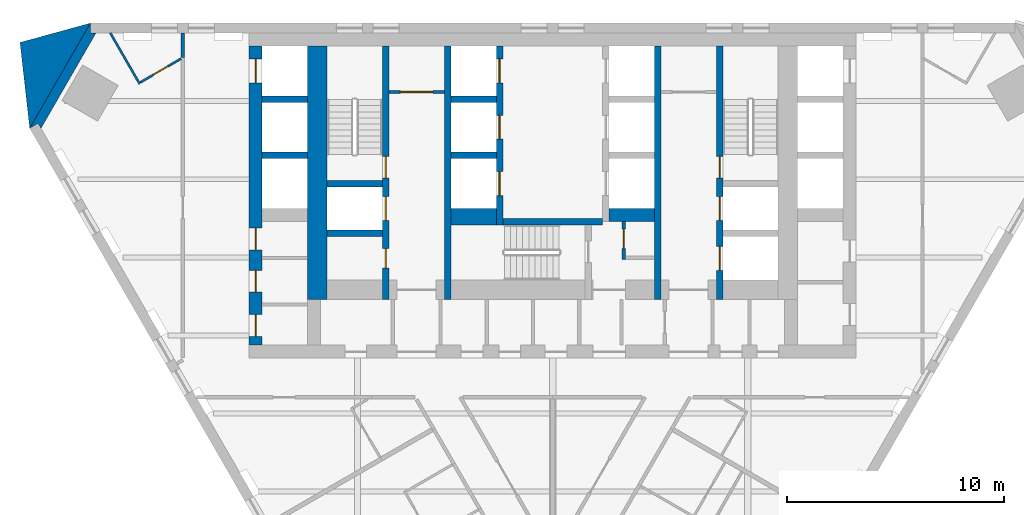
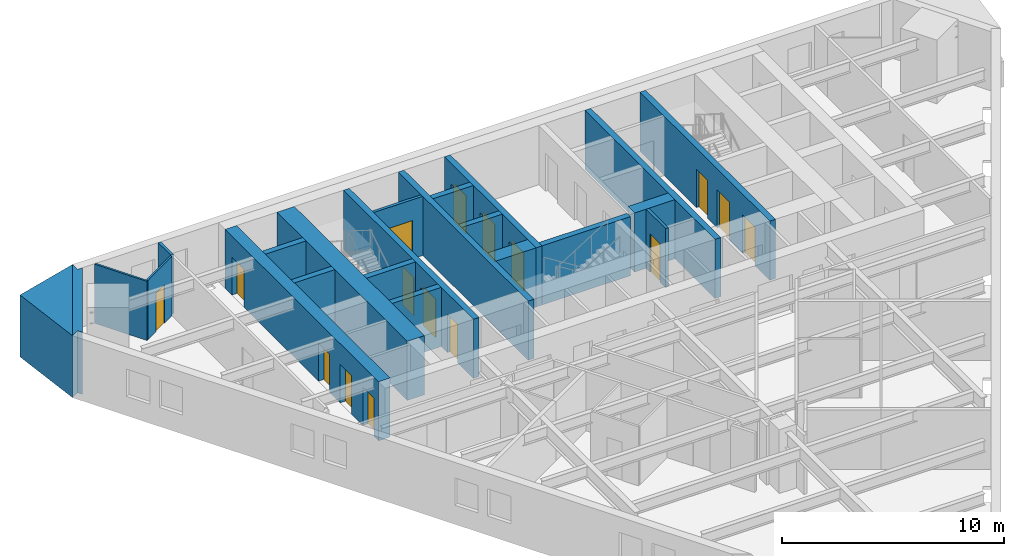
# One storey, part 5 of 9: 23 walls, 16 doors, 16 openings.
"""IFC4 building model written with IfcOpenShell, lengths in metres."""

from ifc_helpers import new_model, si_unit, direction, frame, frame_2d, origin, place, context, subcontext, project, spatial, polyline, rectangle, outline, extrude, material, layer, layer_set, type_object, element, fill, save


model = new_model("IFC4")

# Units and contexts
model_context = context("Model", 3, precision=1e-05, world=origin(), true_north=direction((0.0, 1.0)))
body_context = subcontext(model_context, "Body", "Model", "MODEL_VIEW")
ifc_project = project(units=[si_unit("LENGTHUNIT", "METRE"), si_unit("AREAUNIT", "SQUARE_METRE"), si_unit("VOLUMEUNIT", "CUBIC_METRE"), si_unit("PLANEANGLEUNIT", "RADIAN"), si_unit("MASSUNIT", "GRAM", prefix="KILO")], contexts=[model_context])

# Site, building, storey
site_placement = place(None, origin())
site = spatial("IfcSite", under=ifc_project, at=site_placement, CompositionType="ELEMENT")
building_placement = place(site_placement, origin())
building = spatial("IfcBuilding", under=site, at=building_placement, Name="Aloe Facet Convention Tower", CompositionType="ELEMENT")
storey_placement = place(building_placement, frame((0.0, 0.0, 120.300048828125)))
storey = spatial("IfcBuildingStorey", under=building, at=storey_placement, Name="L30", CompositionType="ELEMENT", Elevation=120.300048828125)

# Wall, opening, door
ifc_material_1 = material(Name="Concrete blockwork partition", Category="masonry")
ifc_layer_1 = layer(ifc_material_1, 0.14990234375)
ifc_layer_set_1 = layer_set([ifc_layer_1], Name="CR-W-PART150")
wall_type_1 = type_object("IfcWallType", Name="CR-W-PART150", PredefinedType="PARTITIONING", material=ifc_layer_set_1)
wall_1_placement = place(storey_placement, frame((72.449951171875, 131.824951171875, 0.0), z_axis=(0.0, 0.0, 1.0), x_axis=(1.0, 0.0, 0.0)))
wall_1 = element("IfcWall", 1, at=wall_1_placement, inside=storey, type_object=wall_type_1, Name="Core partition L30-015", PredefinedType="PARTITIONING", context=body_context, shape_type="SweptSolid", body=[
    extrude(rectangle(XDim=2.550048828125, YDim=0.14990234375, at=frame_2d((1.27490234375, 0.0))), origin(), (0.0, 0.0, 1.0), 3.25),
])
opening_1_placement = place(wall_1_placement, frame((0.52490234375, 0.0, 0.0)))
opening_1 = element("IfcOpeningElement", 2, at=opening_1_placement, cuts=wall_1, Name="Opening L30-CD21", PredefinedType="OPENING", context=body_context, shape_type="SweptSolid", body=[
    extrude(rectangle(XDim=1.5, YDim=2.10009765625, at=frame_2d((0.75, 1.050048828125))), frame((0.0, 0.0849609375, 0.0), z_axis=(0.0, -1.0, 0.0), x_axis=(1.0, 0.0, 0.0)), (0.0, 0.0, 1.0), 0.169921875),
])
ifc_material_2 = material(Name="Steel fire-resisting door set FD60", Category="steel")
door_type_1 = type_object("IfcDoorType", Name="CR-D-REFUGE-1500-FD60-DD", OperationType="DOUBLE_DOOR_DOUBLE_SWING", PredefinedType="DOOR", material=ifc_material_2)
door_1_placement = place(opening_1_placement, origin())
door_1 = element("IfcDoor", 3, at=door_1_placement, inside=storey, type_object=door_type_1, Name="Core door L30-CD21", OperationType="DOUBLE_DOOR_DOUBLE_SWING", OverallHeight=2.10009765625, OverallWidth=1.5, PredefinedType="DOOR", context=body_context, shape_type="SweptSolid", body=[
    extrude(rectangle(XDim=1.5, YDim=2.10009765625, at=frame_2d((0.75, 1.050048828125))), frame((0.0, 0.02490234375, 0.0), z_axis=(0.0, -1.0, 0.0), x_axis=(1.0, 0.0, 0.0)), (0.0, 0.0, 1.0), 0.050048828125),
])
fill(opening_1, door_1)

wall_2_placement = place(storey_placement, frame((83.27490234375, 125.85009765625, 0.0), z_axis=(0.0, 0.0, 1.0), x_axis=(0.0, -1.0, 0.0)))
wall_2 = element("IfcWall", 4, at=wall_2_placement, inside=storey, type_object=wall_type_1, Name="Core partition L30-036", PredefinedType="PARTITIONING", context=body_context, shape_type="SweptSolid", body=[
    extrude(rectangle(XDim=1.75, YDim=0.14990234375, at=frame_2d((0.875, 0.0))), origin(), (0.0, 0.0, 1.0), 3.25),
])
opening_2_placement = place(wall_2_placement, frame((0.35009765625, 0.0, 0.0)))
opening_2 = element("IfcOpeningElement", 5, at=opening_2_placement, cuts=wall_2, Name="Opening L30-CD19", PredefinedType="OPENING", context=body_context, shape_type="SweptSolid", body=[
    extrude(rectangle(XDim=0.89990234375, YDim=2.10009765625, at=frame_2d((0.449951171875, 1.050048828125))), frame((0.0, 0.0849609375, 0.0), z_axis=(0.0, -1.0, 0.0), x_axis=(1.0, 0.0, 0.0)), (0.0, 0.0, 1.0), 0.169921875),
])
ifc_material_3 = material(Name="Steel fire-resisting door set FD60", Category="steel")
door_type_2 = type_object("IfcDoorType", Name="CR-D-REFUGE-900-FD60-SRIGHT", OperationType="SINGLE_SWING_RIGHT", PredefinedType="DOOR", material=ifc_material_3)
door_2_placement = place(opening_2_placement, origin())
door_2 = element("IfcDoor", 6, at=door_2_placement, inside=storey, type_object=door_type_2, Name="Core door L30-CD19", OperationType="SINGLE_SWING_RIGHT", OverallHeight=2.10009765625, OverallWidth=0.89990234375, PredefinedType="DOOR", context=body_context, shape_type="SweptSolid", body=[
    extrude(rectangle(XDim=0.89990234375, YDim=2.10009765625, at=frame_2d((0.449951171875, 1.050048828125))), frame((0.0, 0.02490234375, 0.0), z_axis=(0.0, -1.0, 0.0), x_axis=(1.0, 0.0, 0.0)), (0.0, 0.0, 1.0), 0.050048828125),
])
fill(opening_2, door_2)

# Walls
ifc_material_4 = material(Name="Concrete C70/85", Category="concrete")
ifc_layer_2 = layer(ifc_material_4, 0.300048828125)
ifc_layer_set_2 = layer_set([ifc_layer_2], Name="CR-W-RC300-C7085")
wall_type_2 = type_object("IfcWallType", Name="CR-W-RC300-C7085", PredefinedType="SOLIDWALL", material=ifc_layer_set_2)
for number, where, z_axis, x_axis, name in (
    (7, (66.60009765625, 131.5, 0.0), (0.0, 0.0, 1.0), (1.0, 0.0, 0.0), "Core wall L30-004"),
    (8, (66.60009765625, 128.89990234375, 0.0), (0.0, 0.0, 1.0), (1.0, 0.0, 0.0), "Core wall L30-005"),
):
    element("IfcWall", number, at=place(storey_placement, frame(where, z_axis=z_axis, x_axis=x_axis)), inside=storey, type_object=wall_type_2, Name=name, PredefinedType="SOLIDWALL", context=body_context, shape_type="SweptSolid", body=[
        extrude(rectangle(XDim=2.099853515625, YDim=0.300048828125, at=frame_2d((1.0498046875, 0.0))), origin(), (0.0, 0.0, 1.0), 3.25),
    ])
for number, where, z_axis, x_axis, name in (
    (9, (69.60009765625, 127.60009765625, 0.0), (0.0, 0.0, 1.0), (1.0, 0.0, 0.0), "Core wall L30-011"),
    (10, (69.60009765625, 125.300048828125, 0.0), (0.0, 0.0, 1.0), (1.0, 0.0, 0.0), "Core wall L30-012"),
):
    element("IfcWall", number, at=place(storey_placement, frame(where, z_axis=z_axis, x_axis=x_axis)), inside=storey, type_object=wall_type_2, Name=name, PredefinedType="SOLIDWALL", context=body_context, shape_type="SweptSolid", body=[
        extrude(rectangle(XDim=2.5498046875, YDim=0.300048828125, at=frame_2d((1.27490234375, 0.0))), origin(), (0.0, 0.0, 1.0), 3.25),
    ])

# Wall, openings, doors
wall_3_placement = place(storey_placement, frame((72.300048828125, 133.949951171875, 0.0), z_axis=(0.0, 0.0, 1.0), x_axis=(0.0, -1.0, 0.0)))
wall_3 = element("IfcWall", 11, at=wall_3_placement, inside=storey, type_object=wall_type_2, Name="Core wall L30-014", PredefinedType="SOLIDWALL", context=body_context, shape_type="SweptSolid", body=[
    extrude(rectangle(XDim=11.699951171875, YDim=0.300048828125, at=frame_2d((5.85009765625, 0.0))), origin(), (0.0, 0.0, 1.0), 3.25),
])
opening_3_placement = place(wall_3_placement, frame((6.949951171875, 0.0, 0.0)))
opening_3 = element("IfcOpeningElement", 12, at=opening_3_placement, cuts=wall_3, Name="Opening LD-FF1-L30", PredefinedType="OPENING", context=body_context, shape_type="SweptSolid", body=[
    extrude(rectangle(XDim=1.10009765625, YDim=2.10009765625, at=frame_2d((0.550048828125, 1.050048828125))), frame((0.0, 0.16015625, 0.0), z_axis=(0.0, -1.0, 0.0), x_axis=(1.0, 0.0, 0.0)), (0.0, 0.0, 1.0), 0.320068359375),
])
opening_4_placement = place(wall_3_placement, frame((9.35009765625, 0.0, 0.0)))
opening_4 = element("IfcOpeningElement", 13, at=opening_4_placement, cuts=wall_3, Name="Opening L30-CD22", PredefinedType="OPENING", context=body_context, shape_type="SweptSolid", body=[
    extrude(rectangle(XDim=0.89990234375, YDim=2.10009765625, at=frame_2d((0.449951171875, 1.050048828125))), frame((0.0, 0.16015625, 0.0), z_axis=(0.0, -1.0, 0.0), x_axis=(1.0, 0.0, 0.0)), (0.0, 0.0, 1.0), 0.320068359375),
])
opening_5_placement = place(wall_3_placement, frame((5.10009765625, 0.0, 0.0)))
opening_5 = element("IfcOpeningElement", 14, at=opening_5_placement, cuts=wall_3, Name="Opening L30-CD30", PredefinedType="OPENING", context=body_context, shape_type="SweptSolid", body=[
    extrude(rectangle(XDim=1.0, YDim=2.10009765625, at=frame_2d((0.5, 1.050048828125))), frame((0.0, 0.16015625, 0.0), z_axis=(0.0, -1.0, 0.0), x_axis=(1.0, 0.0, 0.0)), (0.0, 0.0, 1.0), 0.320068359375),
])
ifc_material_5 = material(Name="Steel fire-resisting door set FD60", Category="steel")
door_type_3 = type_object("IfcDoorType", Name="CR-D-ROOM-900-FD60-SLEFT", OperationType="SINGLE_SWING_LEFT", PredefinedType="DOOR", material=ifc_material_5)
door_3_placement = place(opening_4_placement, origin())
door_3 = element("IfcDoor", 15, at=door_3_placement, inside=storey, type_object=door_type_3, Name="Core door L30-CD22", OperationType="SINGLE_SWING_LEFT", OverallHeight=2.10009765625, OverallWidth=0.89990234375, PredefinedType="DOOR", context=body_context, shape_type="SweptSolid", body=[
    extrude(rectangle(XDim=0.89990234375, YDim=2.10009765625, at=frame_2d((0.449951171875, 1.050048828125))), frame((0.0, 0.02490234375, 0.0), z_axis=(0.0, -1.0, 0.0), x_axis=(1.0, 0.0, 0.0)), (0.0, 0.0, 1.0), 0.050048828125),
])
fill(opening_4, door_3)
ifc_material_6 = material(Name="Steel fire-resisting door set FD120", Category="steel")
door_type_4 = type_object("IfcDoorType", Name="CR-D-STAIR-1000-FD120-SRIGHT", OperationType="SINGLE_SWING_RIGHT", PredefinedType="DOOR", material=ifc_material_6)
door_4_placement = place(opening_5_placement, origin())
door_4 = element("IfcDoor", 16, at=door_4_placement, inside=storey, type_object=door_type_4, Name="Core door L30-CD30", OperationType="SINGLE_SWING_RIGHT", OverallHeight=2.10009765625, OverallWidth=1.0, PredefinedType="DOOR", context=body_context, shape_type="SweptSolid", body=[
    extrude(rectangle(XDim=1.0, YDim=2.10009765625, at=frame_2d((0.5, 1.050048828125))), frame((0.0, 0.02490234375, 0.0), z_axis=(0.0, -1.0, 0.0), x_axis=(1.0, 0.0, 0.0)), (0.0, 0.0, 1.0), 0.050048828125),
])
fill(opening_5, door_4)
ifc_material_7 = material(Name="Stainless steel sliding landing door", Category="steel")
door_type_5 = type_object("IfcDoorType", Name="CR-LD-1100-FD120-_LEFT", OperationType="SLIDING_TO_LEFT", PredefinedType="DOOR", material=ifc_material_7)
door_5_placement = place(opening_3_placement, origin())
door_5 = element("IfcDoor", 17, at=door_5_placement, inside=storey, type_object=door_type_5, Name="Landing door FF1 L30", OperationType="SLIDING_TO_LEFT", OverallHeight=2.10009765625, OverallWidth=1.10009765625, PredefinedType="DOOR", context=body_context, shape_type="SweptSolid", body=[
    extrude(rectangle(XDim=1.10009765625, YDim=2.10009765625, at=frame_2d((0.550048828125, 1.050048828125))), frame((0.0, 0.02490234375, 0.0), z_axis=(0.0, -1.0, 0.0), x_axis=(1.0, 0.0, 0.0)), (0.0, 0.0, 1.0), 0.050048828125),
])
fill(opening_3, door_5)

# Walls
wall_4_placement = place(storey_placement, frame((75.14990234375, 133.949951171875, 0.0), z_axis=(0.0, 0.0, 1.0), x_axis=(0.0, -1.0, 0.0)))
element("IfcWall", 18, at=wall_4_placement, inside=storey, type_object=wall_type_2, Name="Core wall L30-019", PredefinedType="SOLIDWALL", context=body_context, shape_type="SweptSolid", body=[
    extrude(rectangle(XDim=11.699951171875, YDim=0.300048828125, at=frame_2d((5.85009765625, 0.0))), origin(), (0.0, 0.0, 1.0), 3.25),
])
for number, where, z_axis, x_axis, name in (
    (19, (75.300048828125, 131.5, 0.0), (0.0, 0.0, 1.0), (1.0, 0.0, 0.0), "Core wall L30-020"),
    (20, (75.300048828125, 128.89990234375, 0.0), (0.0, 0.0, 1.0), (1.0, 0.0, 0.0), "Core wall L30-021"),
):
    element("IfcWall", number, at=place(storey_placement, frame(where, z_axis=z_axis, x_axis=x_axis)), inside=storey, type_object=wall_type_2, Name=name, PredefinedType="SOLIDWALL", context=body_context, shape_type="SweptSolid", body=[
        extrude(rectangle(XDim=2.099853515625, YDim=0.300048828125, at=frame_2d((1.0498046875, 0.0))), origin(), (0.0, 0.0, 1.0), 3.25),
    ])

# Wall, openings, doors
wall_5_placement = place(storey_placement, frame((77.550048828125, 133.949951171875, 0.0), z_axis=(0.0, 0.0, 1.0), x_axis=(0.0, -1.0, 0.0)))
wall_5 = element("IfcWall", 21, at=wall_5_placement, inside=storey, type_object=wall_type_2, Name="Core wall L30-025", PredefinedType="SOLIDWALL", context=body_context, shape_type="SweptSolid", body=[
    extrude(rectangle(XDim=8.25, YDim=0.300048828125, at=frame_2d((4.125, 0.0))), origin(), (0.0, 0.0, 1.0), 3.25),
])
opening_6_placement = place(wall_5_placement, frame((0.60009765625, 0.0, 0.0)))
opening_6 = element("IfcOpeningElement", 22, at=opening_6_placement, cuts=wall_5, Name="Opening LD-A1-L30", PredefinedType="OPENING", context=body_context, shape_type="SweptSolid", body=[
    extrude(rectangle(XDim=1.10009765625, YDim=2.10009765625, at=frame_2d((0.550048828125, 1.050048828125))), frame((0.0, 0.16015625, 0.0), z_axis=(0.0, -1.0, 0.0), x_axis=(1.0, 0.0, 0.0)), (0.0, 0.0, 1.0), 0.320068359375),
])
opening_7_placement = place(wall_5_placement, frame((3.199951171875, 0.0, 0.0)))
opening_7 = element("IfcOpeningElement", 23, at=opening_7_placement, cuts=wall_5, Name="Opening LD-A2-L30", PredefinedType="OPENING", context=body_context, shape_type="SweptSolid", body=[
    extrude(rectangle(XDim=1.10009765625, YDim=2.10009765625, at=frame_2d((0.550048828125, 1.050048828125))), frame((0.0, 0.16015625, 0.0), z_axis=(0.0, -1.0, 0.0), x_axis=(1.0, 0.0, 0.0)), (0.0, 0.0, 1.0), 0.320068359375),
])
opening_8_placement = place(wall_5_placement, frame((5.800048828125, 0.0, 0.0)))
opening_8 = element("IfcOpeningElement", 24, at=opening_8_placement, cuts=wall_5, Name="Opening LD-A3-L30", PredefinedType="OPENING", context=body_context, shape_type="SweptSolid", body=[
    extrude(rectangle(XDim=1.10009765625, YDim=2.10009765625, at=frame_2d((0.550048828125, 1.050048828125))), frame((0.0, 0.16015625, 0.0), z_axis=(0.0, -1.0, 0.0), x_axis=(1.0, 0.0, 0.0)), (0.0, 0.0, 1.0), 0.320068359375),
])
ifc_material_8 = material(Name="Stainless steel sliding landing door", Category="steel")
door_type_6 = type_object("IfcDoorType", Name="CR-LD-1100-FD60-RIGHT", OperationType="SLIDING_TO_RIGHT", PredefinedType="DOOR", material=ifc_material_8)
door_6_placement = place(opening_6_placement, origin())
door_6 = element("IfcDoor", 25, at=door_6_placement, inside=storey, type_object=door_type_6, Name="Landing door A1 L30", OperationType="SLIDING_TO_RIGHT", OverallHeight=2.10009765625, OverallWidth=1.10009765625, PredefinedType="DOOR", context=body_context, shape_type="SweptSolid", body=[
    extrude(rectangle(XDim=1.10009765625, YDim=2.10009765625, at=frame_2d((0.550048828125, 1.050048828125))), frame((0.0, 0.02490234375, 0.0), z_axis=(0.0, -1.0, 0.0), x_axis=(1.0, 0.0, 0.0)), (0.0, 0.0, 1.0), 0.050048828125),
])
fill(opening_6, door_6)
door_7_placement = place(opening_7_placement, origin())
door_7 = element("IfcDoor", 26, at=door_7_placement, inside=storey, type_object=door_type_6, Name="Landing door A2 L30", OperationType="SLIDING_TO_RIGHT", OverallHeight=2.10009765625, OverallWidth=1.10009765625, PredefinedType="DOOR", context=body_context, shape_type="SweptSolid", body=[
    extrude(rectangle(XDim=1.10009765625, YDim=2.10009765625, at=frame_2d((0.550048828125, 1.050048828125))), frame((0.0, 0.02490234375, 0.0), z_axis=(0.0, -1.0, 0.0), x_axis=(1.0, 0.0, 0.0)), (0.0, 0.0, 1.0), 0.050048828125),
])
fill(opening_7, door_7)
door_8_placement = place(opening_8_placement, origin())
door_8 = element("IfcDoor", 27, at=door_8_placement, inside=storey, type_object=door_type_6, Name="Landing door A3 L30", OperationType="SLIDING_TO_RIGHT", OverallHeight=2.10009765625, OverallWidth=1.10009765625, PredefinedType="DOOR", context=body_context, shape_type="SweptSolid", body=[
    extrude(rectangle(XDim=1.10009765625, YDim=2.10009765625, at=frame_2d((0.550048828125, 1.050048828125))), frame((0.0, 0.02490234375, 0.0), z_axis=(0.0, -1.0, 0.0), x_axis=(1.0, 0.0, 0.0)), (0.0, 0.0, 1.0), 0.050048828125),
])
fill(opening_8, door_8)

# Walls
wall_6_placement = place(storey_placement, frame((77.699951171875, 125.85009765625, 0.0), z_axis=(0.0, 0.0, 1.0), x_axis=(1.0, 0.0, 0.0)))
element("IfcWall", 28, at=wall_6_placement, inside=storey, type_object=wall_type_2, Name="Core wall L30-026", PredefinedType="SOLIDWALL", context=body_context, shape_type="SweptSolid", body=[
    extrude(rectangle(XDim=4.60009765625, YDim=0.300048828125, at=frame_2d((2.300048828125, 0.0))), origin(), (0.0, 0.0, 1.0), 3.25),
])
wall_7_placement = place(storey_placement, frame((84.85009765625, 133.949951171875, 0.0), z_axis=(0.0, 0.0, 1.0), x_axis=(0.0, -1.0, 0.0)))
element("IfcWall", 29, at=wall_7_placement, inside=storey, type_object=wall_type_2, Name="Core wall L30-038", PredefinedType="SOLIDWALL", context=body_context, shape_type="SweptSolid", body=[
    extrude(rectangle(XDim=11.699951171875, YDim=0.300048828125, at=frame_2d((5.85009765625, 0.0))), origin(), (0.0, 0.0, 1.0), 3.25),
])

# Wall, openings, doors
wall_8_placement = place(storey_placement, frame((87.699951171875, 133.949951171875, 0.0), z_axis=(0.0, 0.0, 1.0), x_axis=(0.0, -1.0, 0.0)))
wall_8 = element("IfcWall", 30, at=wall_8_placement, inside=storey, type_object=wall_type_2, Name="Core wall L30-043", PredefinedType="SOLIDWALL", context=body_context, shape_type="SweptSolid", body=[
    extrude(rectangle(XDim=11.699951171875, YDim=0.300048828125, at=frame_2d((5.85009765625, 0.0))), origin(), (0.0, 0.0, 1.0), 3.25),
])
opening_9_placement = place(wall_8_placement, frame((6.949951171875, 0.0, 0.0)))
opening_9 = element("IfcOpeningElement", 31, at=opening_9_placement, cuts=wall_8, Name="Opening LD-FF2-L30", PredefinedType="OPENING", context=body_context, shape_type="SweptSolid", body=[
    extrude(rectangle(XDim=1.10009765625, YDim=2.10009765625, at=frame_2d((0.550048828125, 1.050048828125))), frame((0.0, 0.16015625, 0.0), z_axis=(0.0, -1.0, 0.0), x_axis=(1.0, 0.0, 0.0)), (0.0, 0.0, 1.0), 0.320068359375),
])
opening_10_placement = place(wall_8_placement, frame((5.10009765625, 0.0, 0.0)))
opening_10 = element("IfcOpeningElement", 32, at=opening_10_placement, cuts=wall_8, Name="Opening L30-CD31", PredefinedType="OPENING", context=body_context, shape_type="SweptSolid", body=[
    extrude(rectangle(XDim=1.0, YDim=2.10009765625, at=frame_2d((0.5, 1.050048828125))), frame((0.0, 0.16015625, 0.0), z_axis=(0.0, -1.0, 0.0), x_axis=(1.0, 0.0, 0.0)), (0.0, 0.0, 1.0), 0.320068359375),
])
opening_11_placement = place(wall_8_placement, frame((9.25, 0.0, 0.0)))
opening_11 = element("IfcOpeningElement", 33, at=opening_11_placement, cuts=wall_8, Name="Opening LD-SV1-L30", PredefinedType="OPENING", context=body_context, shape_type="SweptSolid", body=[
    extrude(rectangle(XDim=1.10009765625, YDim=2.10009765625, at=frame_2d((0.550048828125, 1.050048828125))), frame((0.0, 0.16015625, 0.0), z_axis=(0.0, -1.0, 0.0), x_axis=(1.0, 0.0, 0.0)), (0.0, 0.0, 1.0), 0.320068359375),
])
ifc_material_9 = material(Name="Steel fire-resisting door set FD120", Category="steel")
door_type_7 = type_object("IfcDoorType", Name="CR-D-STAIR-1000-FD120-SLEFT", OperationType="SINGLE_SWING_LEFT", PredefinedType="DOOR", material=ifc_material_9)
door_9_placement = place(opening_10_placement, origin())
door_9 = element("IfcDoor", 34, at=door_9_placement, inside=storey, type_object=door_type_7, Name="Core door L30-CD31", OperationType="SINGLE_SWING_LEFT", OverallHeight=2.10009765625, OverallWidth=1.0, PredefinedType="DOOR", context=body_context, shape_type="SweptSolid", body=[
    extrude(rectangle(XDim=1.0, YDim=2.10009765625, at=frame_2d((0.5, 1.050048828125))), frame((0.0, 0.02490234375, 0.0), z_axis=(0.0, -1.0, 0.0), x_axis=(1.0, 0.0, 0.0)), (0.0, 0.0, 1.0), 0.050048828125),
])
fill(opening_10, door_9)
door_10_placement = place(opening_9_placement, origin())
door_10 = element("IfcDoor", 35, at=door_10_placement, inside=storey, type_object=door_type_5, Name="Landing door FF2 L30", OperationType="SLIDING_TO_LEFT", OverallHeight=2.10009765625, OverallWidth=1.10009765625, PredefinedType="DOOR", context=body_context, shape_type="SweptSolid", body=[
    extrude(rectangle(XDim=1.10009765625, YDim=2.10009765625, at=frame_2d((0.550048828125, 1.050048828125))), frame((0.0, 0.02490234375, 0.0), z_axis=(0.0, -1.0, 0.0), x_axis=(1.0, 0.0, 0.0)), (0.0, 0.0, 1.0), 0.050048828125),
])
fill(opening_9, door_10)
door_11_placement = place(opening_11_placement, origin())
door_11 = element("IfcDoor", 36, at=door_11_placement, inside=storey, type_object=door_type_5, Name="Landing door SV1 L30", OperationType="SLIDING_TO_LEFT", OverallHeight=2.10009765625, OverallWidth=1.10009765625, PredefinedType="DOOR", context=body_context, shape_type="SweptSolid", body=[
    extrude(rectangle(XDim=1.10009765625, YDim=2.10009765625, at=frame_2d((0.550048828125, 1.050048828125))), frame((0.0, 0.02490234375, 0.0), z_axis=(0.0, -1.0, 0.0), x_axis=(1.0, 0.0, 0.0)), (0.0, 0.0, 1.0), 0.050048828125),
])
fill(opening_11, door_11)

ifc_material_10 = material(Name="Concrete C70/85", Category="concrete")
ifc_layer_3 = layer(ifc_material_10, 0.60009765625)
ifc_layer_set_3 = layer_set([ifc_layer_3], Name="CR-W-RC600-C7085")
wall_type_3 = type_object("IfcWallType", Name="CR-W-RC600-C7085", PredefinedType="SOLIDWALL", material=ifc_layer_set_3)
wall_9_placement = place(storey_placement, frame((66.300048828125, 133.949951171875, 0.0), z_axis=(0.0, 0.0, 1.0), x_axis=(0.0, -1.0, 0.0)))
wall_9 = element("IfcWall", 37, at=wall_9_placement, inside=storey, type_object=wall_type_3, Name="Core wall L30-002", PredefinedType="SOLIDWALL", context=body_context, shape_type="SweptSolid", body=[
    extrude(rectangle(XDim=13.800048828125, YDim=0.60009765625, at=frame_2d((6.89990234375, 0.0))), origin(), (0.0, 0.0, 1.0), 3.25),
])
opening_12_placement = place(wall_9_placement, frame((0.60009765625, 0.0, 0.0)))
opening_12 = element("IfcOpeningElement", 38, at=opening_12_placement, cuts=wall_9, Name="Opening LD-A7-L30", PredefinedType="OPENING", context=body_context, shape_type="SweptSolid", body=[
    extrude(rectangle(XDim=1.10009765625, YDim=2.10009765625, at=frame_2d((0.550048828125, 1.050048828125))), frame((0.0, 0.31005859375, 0.0), z_axis=(0.0, -1.0, 0.0), x_axis=(1.0, 0.0, 0.0)), (0.0, 0.0, 1.0), 0.6201171875),
])
opening_13_placement = place(wall_9_placement, frame((8.4052734375, 0.0, 0.0)))
opening_13 = element("IfcOpeningElement", 39, at=opening_13_placement, cuts=wall_9, Name="Opening L30-CD34", PredefinedType="OPENING", context=body_context, shape_type="SweptSolid", body=[
    extrude(rectangle(XDim=1.0, YDim=2.10009765625, at=frame_2d((0.5, 1.050048828125))), frame((0.0, 0.31005859375, 0.0), z_axis=(0.0, -1.0, 0.0), x_axis=(1.0, 0.0, 0.0)), (0.0, 0.0, 1.0), 0.6201171875),
])
opening_14_placement = place(wall_9_placement, frame((10.355224609375, 0.0, 0.0)))
opening_14 = element("IfcOpeningElement", 40, at=opening_14_placement, cuts=wall_9, Name="Opening L30-CD35", PredefinedType="OPENING", context=body_context, shape_type="SweptSolid", body=[
    extrude(rectangle(XDim=1.0, YDim=2.10009765625, at=frame_2d((0.5, 1.050048828125))), frame((0.0, 0.31005859375, 0.0), z_axis=(0.0, -1.0, 0.0), x_axis=(1.0, 0.0, 0.0)), (0.0, 0.0, 1.0), 0.6201171875),
])
opening_15_placement = place(wall_9_placement, frame((12.39990234375, 0.0, 0.0)))
opening_15 = element("IfcOpeningElement", 41, at=opening_15_placement, cuts=wall_9, Name="Opening L30-CD36", PredefinedType="OPENING", context=body_context, shape_type="SweptSolid", body=[
    extrude(rectangle(XDim=1.0, YDim=2.10009765625, at=frame_2d((0.5, 1.050048828125))), frame((0.0, 0.31005859375, 0.0), z_axis=(0.0, -1.0, 0.0), x_axis=(1.0, 0.0, 0.0)), (0.0, 0.0, 1.0), 0.6201171875),
])
ifc_material_11 = material(Name="Steel fire-resisting door set FD60", Category="steel")
door_type_8 = type_object("IfcDoorType", Name="CR-D-ROOM-1000-FD60-SLEFT", OperationType="SINGLE_SWING_LEFT", PredefinedType="DOOR", material=ifc_material_11)
door_12_placement = place(opening_13_placement, origin())
door_12 = element("IfcDoor", 42, at=door_12_placement, inside=storey, type_object=door_type_8, Name="Core door L30-CD34", OperationType="SINGLE_SWING_LEFT", OverallHeight=2.10009765625, OverallWidth=1.0, PredefinedType="DOOR", context=body_context, shape_type="SweptSolid", body=[
    extrude(rectangle(XDim=1.0, YDim=2.10009765625, at=frame_2d((0.5, 1.050048828125))), frame((0.0, 0.02490234375, 0.0), z_axis=(0.0, -1.0, 0.0), x_axis=(1.0, 0.0, 0.0)), (0.0, 0.0, 1.0), 0.050048828125),
])
fill(opening_13, door_12)
door_13_placement = place(opening_14_placement, origin())
door_13 = element("IfcDoor", 43, at=door_13_placement, inside=storey, type_object=door_type_8, Name="Core door L30-CD35", OperationType="SINGLE_SWING_LEFT", OverallHeight=2.10009765625, OverallWidth=1.0, PredefinedType="DOOR", context=body_context, shape_type="SweptSolid", body=[
    extrude(rectangle(XDim=1.0, YDim=2.10009765625, at=frame_2d((0.5, 1.050048828125))), frame((0.0, 0.02490234375, 0.0), z_axis=(0.0, -1.0, 0.0), x_axis=(1.0, 0.0, 0.0)), (0.0, 0.0, 1.0), 0.050048828125),
])
fill(opening_14, door_13)
door_14_placement = place(opening_15_placement, origin())
door_14 = element("IfcDoor", 44, at=door_14_placement, inside=storey, type_object=door_type_8, Name="Core door L30-CD36", OperationType="SINGLE_SWING_LEFT", OverallHeight=2.10009765625, OverallWidth=1.0, PredefinedType="DOOR", context=body_context, shape_type="SweptSolid", body=[
    extrude(rectangle(XDim=1.0, YDim=2.10009765625, at=frame_2d((0.5, 1.050048828125))), frame((0.0, 0.02490234375, 0.0), z_axis=(0.0, -1.0, 0.0), x_axis=(1.0, 0.0, 0.0)), (0.0, 0.0, 1.0), 0.050048828125),
])
fill(opening_15, door_14)
ifc_material_12 = material(Name="Stainless steel sliding landing door", Category="steel")
door_type_9 = type_object("IfcDoorType", Name="CR-LD-1100-FD60-_LEFT", OperationType="SLIDING_TO_LEFT", PredefinedType="DOOR", material=ifc_material_12)
door_15_placement = place(opening_12_placement, origin())
door_15 = element("IfcDoor", 45, at=door_15_placement, inside=storey, type_object=door_type_9, Name="Landing door A7 L30", OperationType="SLIDING_TO_LEFT", OverallHeight=2.10009765625, OverallWidth=1.10009765625, PredefinedType="DOOR", context=body_context, shape_type="SweptSolid", body=[
    extrude(rectangle(XDim=1.10009765625, YDim=2.10009765625, at=frame_2d((0.550048828125, 1.050048828125))), frame((0.0, 0.02490234375, 0.0), z_axis=(0.0, -1.0, 0.0), x_axis=(1.0, 0.0, 0.0)), (0.0, 0.0, 1.0), 0.050048828125),
])
fill(opening_12, door_15)

# Walls
wall_10_placement = place(storey_placement, frame((82.60009765625, 126.14990234375, 0.0), z_axis=(0.0, 0.0, 1.0), x_axis=(1.0, 0.0, 0.0)))
element("IfcWall", 46, at=wall_10_placement, inside=storey, type_object=wall_type_3, Name="Core wall L30-034", PredefinedType="SOLIDWALL", context=body_context, shape_type="SweptSolid", body=[
    extrude(rectangle(XDim=2.099853515625, YDim=0.60009765625, at=frame_2d((1.0498046875, 0.0))), origin(), (0.0, 0.0, 1.0), 3.25),
])
ifc_material_13 = material(Name="Concrete C70/85", Category="concrete")
ifc_layer_4 = layer(ifc_material_13, 0.75)
ifc_layer_set_4 = layer_set([ifc_layer_4], Name="CR-W-RC750-C7085")
wall_type_4 = type_object("IfcWallType", Name="CR-W-RC750-C7085", PredefinedType="SOLIDWALL", material=ifc_layer_set_4)
wall_11_placement = place(storey_placement, frame((75.300048828125, 126.074951171875, 0.0), z_axis=(0.0, 0.0, 1.0), x_axis=(1.0, 0.0, 0.0)))
element("IfcWall", 47, at=wall_11_placement, inside=storey, type_object=wall_type_4, Name="Core wall L30-022", PredefinedType="SOLIDWALL", context=body_context, shape_type="SweptSolid", body=[
    extrude(rectangle(XDim=2.099853515625, YDim=0.75, at=frame_2d((1.0498046875, 0.0))), origin(), (0.0, 0.0, 1.0), 3.25),
])
ifc_material_14 = material(Name="Concrete C70/85", Category="concrete")
ifc_layer_5 = layer(ifc_material_14, 0.89990234375)
ifc_layer_set_5 = layer_set([ifc_layer_5], Name="CR-W-RC900-C7085")
wall_type_5 = type_object("IfcWallType", Name="CR-W-RC900-C7085", PredefinedType="SOLIDWALL", material=ifc_layer_set_5)
wall_12_placement = place(storey_placement, frame((69.14990234375, 133.949951171875, 0.0), z_axis=(0.0, 0.0, 1.0), x_axis=(0.0, -1.0, 0.0)))
element("IfcWall", 48, at=wall_12_placement, inside=storey, type_object=wall_type_5, Name="Core wall L30-009", PredefinedType="SOLIDWALL", context=body_context, shape_type="SweptSolid", body=[
    extrude(rectangle(XDim=11.699951171875, YDim=0.89990234375, at=frame_2d((5.85009765625, 0.0))), origin(), (0.0, 0.0, 1.0), 3.25),
])
ifc_material_15 = material(Name="Precast concrete C40/50", Category="concrete")
ifc_layer_6 = layer(ifc_material_15, 0.449951171875)
ifc_layer_set_6 = layer_set([ifc_layer_6], Name="EV-WALL-PIER")
wall_type_6 = type_object("IfcWallType", Name="EV-WALL-PIER", PredefinedType="SOLIDWALL", material=ifc_layer_set_6)
wall_13_placement = place(storey_placement, frame((0.0, 0.0, -0.150146484375)))
element("IfcWall", 49, at=wall_13_placement, inside=storey, type_object=wall_type_6, Name="EP-L30-A", PredefinedType="SOLIDWALL", context=body_context, shape_type="SweptSolid", body=[
    extrude(outline(polyline([(58.678466796875, 135.0), (58.678466796875, 134.550048828125), (58.938232421875, 134.550048828125), (56.398193359375, 130.150146484375), (56.26806640625, 130.375244140625), (55.87841796875, 130.150146484375), (58.678466796875, 135.0)])), origin(), (0.0, 0.0, 1.0), 3.400146484375),
])
ifc_material_16 = material(Name="Precast concrete C40/50", Category="concrete")
ifc_layer_7 = layer(ifc_material_16, 3.947998046875)
ifc_layer_set_7 = layer_set([ifc_layer_7], Name="EV-WALL-SPINE")
wall_type_7 = type_object("IfcWallType", Name="EV-WALL-SPINE", PredefinedType="SOLIDWALL", material=ifc_layer_set_7)
wall_14_placement = place(storey_placement, frame((0.0, 0.0, -0.150146484375)))
element("IfcWall", 50, at=wall_14_placement, inside=storey, type_object=wall_type_7, Name="SP-NW-L30", PredefinedType="SOLIDWALL", context=body_context, shape_type="SweptSolid", body=[
    extrude(outline(polyline([(58.678466796875, 135.0), (55.43212890625, 134.109130859375), (55.87841796875, 130.150146484375), (58.678466796875, 135.0)])), origin(), (0.0, 0.0, 1.0), 3.400146484375),
])
ifc_material_17 = material(Name="Gypsum board partition on steel studs", Category="steel")
ifc_layer_8 = layer(ifc_material_17, 0.14990234375)
ifc_layer_set_8 = layer_set([ifc_layer_8], Name="IN-W-CORR")
wall_type_8 = type_object("IfcWallType", Name="IN-W-CORR", PredefinedType="PARTITIONING", material=ifc_layer_set_8)
wall_15_placement = place(storey_placement, frame((62.94287109375, 133.409423828125, 0.0), z_axis=(0.0, 0.0, 1.0), x_axis=(0.0, 1.0, 0.0)))
element("IfcWall", 51, at=wall_15_placement, inside=storey, type_object=wall_type_8, Name="Partition L30-W060", PredefinedType="PARTITIONING", context=body_context, shape_type="SweptSolid", body=[
    extrude(rectangle(XDim=1.140625, YDim=0.14990234375, at=frame_2d((0.5703125, 0.0))), origin(), (0.0, 0.0, 1.0), 3.25),
])
ifc_material_18 = material(Name="Gypsum board partition on steel studs", Category="steel")
ifc_layer_9 = layer(ifc_material_18, 0.10009765625)
ifc_layer_set_9 = layer_set([ifc_layer_9], Name="IN-W-PART")
wall_type_9 = type_object("IfcWallType", Name="IN-W-PART", PredefinedType="PARTITIONING", material=ifc_layer_set_9)
wall_16_placement = place(storey_placement, frame((59.59423828125, 134.550048828125, 0.0), z_axis=(0.0, 0.0, 1.0), x_axis=(0.499939847306, -0.866060130173, 0.0)))
element("IfcWall", 52, at=wall_16_placement, inside=storey, type_object=wall_type_9, Name="Partition L30-W055", PredefinedType="PARTITIONING", context=body_context, shape_type="SweptSolid", body=[
    extrude(rectangle(XDim=2.721923828125, YDim=0.10009765625, at=frame_2d((1.36083984375, 0.0))), origin(), (0.0, 0.0, 1.0), 3.25),
])

# Wall, opening, door
wall_17_placement = place(storey_placement, frame((60.98193359375, 132.26611328125, 0.0), z_axis=(0.0, 0.0, 1.0), x_axis=(0.863864394537, 0.503724436425, 0.0)))
wall_17 = element("IfcWall", 53, at=wall_17_placement, inside=storey, type_object=wall_type_9, Name="Partition L30-W057", PredefinedType="PARTITIONING", context=body_context, shape_type="SweptSolid", body=[
    extrude(rectangle(XDim=2.1748046875, YDim=0.10009765625, at=frame_2d((1.08740234375, 0.0))), origin(), (0.0, 0.0, 1.0), 3.25),
])
opening_16_placement = place(wall_17_placement, frame((0.687255859375, 0.0, 0.0)))
opening_16 = element("IfcOpeningElement", 54, at=opening_16_placement, cuts=wall_17, Name="Opening L30-009", PredefinedType="OPENING", context=body_context, shape_type="SweptSolid", body=[
    extrude(rectangle(XDim=0.800048828125, YDim=2.10009765625, at=frame_2d((0.39990234375, 1.050048828125))), frame((0.0, 0.06005859375, 0.0), z_axis=(0.0, -1.0, 0.0), x_axis=(1.0, 0.0, 0.0)), (0.0, 0.0, 1.0), 0.1201171875),
])
ifc_material_19 = material(Name="Timber flush door", Category="wood")
door_type_10 = type_object("IfcDoorType", Name="IN-D-BATH", OperationType="SINGLE_SWING_LEFT", PredefinedType="DOOR", material=ifc_material_19)
door_16_placement = place(opening_16_placement, origin())
door_16 = element("IfcDoor", 55, at=door_16_placement, inside=storey, type_object=door_type_10, Name="Door L30-009", OperationType="SINGLE_SWING_LEFT", OverallHeight=2.10009765625, OverallWidth=0.800048828125, PredefinedType="DOOR", context=body_context, shape_type="SweptSolid", body=[
    extrude(rectangle(XDim=0.800048828125, YDim=2.10009765625, at=frame_2d((0.39990234375, 1.050048828125))), frame((0.0, 0.02490234375, 0.0), z_axis=(0.0, -1.0, 0.0), x_axis=(1.0, 0.0, 0.0)), (0.0, 0.0, 1.0), 0.050048828125),
])
fill(opening_16, door_16)

save(model, "model.ifc")
